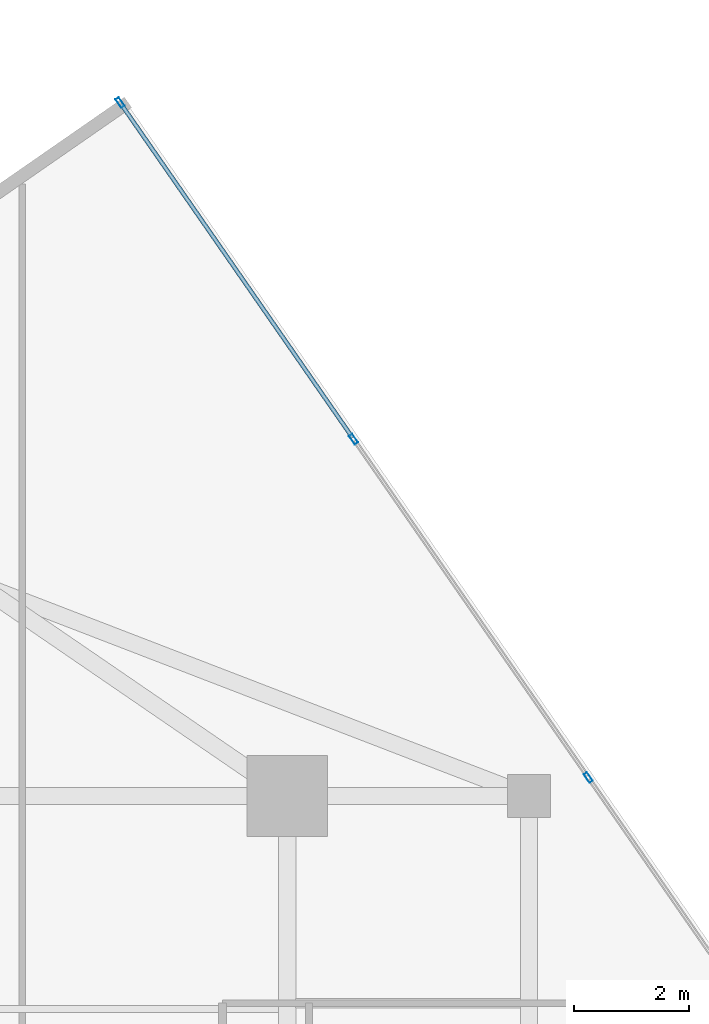
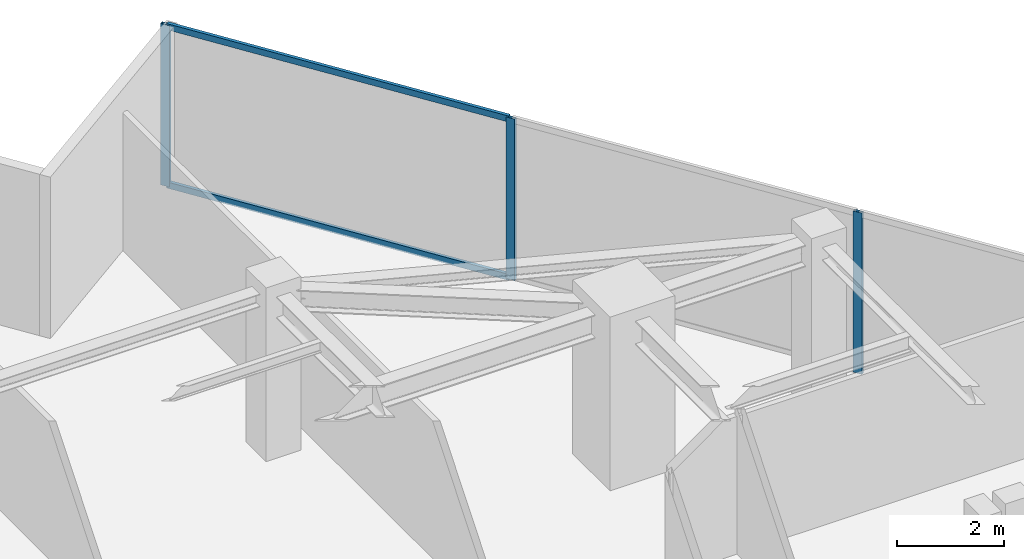
# One storey, part 16 of 21: 5 members, 1 element without a shape of its own.
"""IFC4 building model written with IfcOpenShell, lengths in metres."""

from ifc_helpers import new_model, si_unit, direction, frame, origin, origin_2d, place, context, subcontext, project, spatial, hollow_rectangle, extrude, source, transform, mapped, material, material_profile, profile_set, type_object, type_shapes, element, aggregate, save


model = new_model("IFC4")

# Units and contexts
model_context = context("Model", 3, precision=1e-05, world=origin(), true_north=direction((0.0, 1.0)))
body_context = subcontext(model_context, "Body", "Model", "MODEL_VIEW")
ifc_project = project(units=[si_unit("LENGTHUNIT", "METRE"), si_unit("AREAUNIT", "SQUARE_METRE"), si_unit("VOLUMEUNIT", "CUBIC_METRE"), si_unit("PLANEANGLEUNIT", "RADIAN"), si_unit("MASSUNIT", "GRAM", prefix="KILO")], contexts=[model_context])

# Site, building, storey
site_placement = place(None, origin())
site = spatial("IfcSite", under=ifc_project, at=site_placement, CompositionType="ELEMENT")
building_placement = place(site_placement, origin())
building = spatial("IfcBuilding", under=site, at=building_placement, Name="Krantzveldt Concourse Tower", CompositionType="ELEMENT")
storey_placement = place(building_placement, frame((0.0, 0.0, 275.300048828125)))
storey = spatial("IfcBuildingStorey", under=building, at=storey_placement, Name="L67", CompositionType="ELEMENT", Elevation=275.300048828125)

# Curtain wall, members
ifc_material = material(Name="Anodised aluminium 6063-T6", Category="aluminium")
curtain_wall_type = type_object("IfcCurtainWallType", Name="CW4", PredefinedType="USERDEFINED", material=ifc_material)
curtain_wall_placement = place(storey_placement, origin())
curtain_wall = element("IfcCurtainWall", 1, at=curtain_wall_placement, inside=storey, type_object=curtain_wall_type, Name="CW-L67-F14", ObjectType="UNITISED CURTAIN WALL", PredefinedType="USERDEFINED")
ifc_material_profile_1 = material_profile(ifc_material, hollow_rectangle(XDim=0.070068359375, YDim=0.179931640625, WallThickness=0.0048828125, at=origin_2d()), Name="Anodised aluminium 6063-T6", Category="aluminium")
ifc_profile_set_1 = profile_set([ifc_material_profile_1], Name="Anodised aluminium 6063-T6 - ALU-MULL 180x70x5")
member_type_1 = type_object("IfcMemberType", Name="CW-MUL-180", PredefinedType="MULLION", material=ifc_profile_set_1)
shared_shape_1 = source(origin(), body_context, "Body", "SweptSolid", [
    extrude(hollow_rectangle(XDim=0.070068359375, YDim=0.179931640625, WallThickness=0.0048828125, at=origin_2d()), origin(), (0.0, 0.0, 1.0), 3.669921875),
])
type_shapes(member_type_1, [shared_shape_1])
member_1_placement = place(storey_placement, frame((52.0302734375, 37.820556640625, 0.0), z_axis=(0.0, 0.0, 1.0), x_axis=(-0.821647031735, -0.569996627395, 0.0)))
member_1 = element("IfcMember", 2, at=member_1_placement, type_object=member_type_1, Name="CW-Z56 mullion 3", PredefinedType="MULLION", context=body_context, shape_type="MappedRepresentation", body=[
    mapped(shared_shape_1, transform((0.0, 0.0, 0.0), x_axis=(1.0, 0.0, 0.0), y_axis=(0.0, 1.0, 0.0), z_axis=(0.0, 0.0, 1.0), scale=1.0)),
])
member_2_placement = place(storey_placement, frame((47.954833984375, 43.6953125, 0.0), z_axis=(0.0, 0.0, 1.0), x_axis=(-0.821647031735, -0.569996627395, 0.0)))
member_2 = element("IfcMember", 3, at=member_2_placement, type_object=member_type_1, Name="CW-Z56 mullion 4", PredefinedType="MULLION", context=body_context, shape_type="MappedRepresentation", body=[
    mapped(shared_shape_1, transform((0.0, 0.0, 0.0), x_axis=(1.0, 0.0, 0.0), y_axis=(0.0, 1.0, 0.0), z_axis=(0.0, 0.0, 1.0), scale=1.0)),
])
member_3_placement = place(storey_placement, frame((43.8994140625, 49.54150390625, 0.0), z_axis=(0.0, 0.0, 1.0), x_axis=(-0.821647031735, -0.569996627395, 0.0)))
member_3 = element("IfcMember", 4, at=member_3_placement, type_object=member_type_1, Name="CW-Z56 mullion 5", PredefinedType="MULLION", context=body_context, shape_type="MappedRepresentation", body=[
    mapped(shared_shape_1, transform((0.0, 0.0, 0.0), x_axis=(1.0, 0.0, 0.0), y_axis=(0.0, 1.0, 0.0), z_axis=(0.0, 0.0, 1.0), scale=1.0)),
])
ifc_material_profile_2 = material_profile(ifc_material, hollow_rectangle(XDim=0.070068359375, YDim=0.139892578125, WallThickness=0.0048828125, at=origin_2d()), Name="Anodised aluminium 6063-T6", Category="aluminium")
ifc_profile_set_2 = profile_set([ifc_material_profile_2], Name="Anodised aluminium 6063-T6 - ALU-TRAN 140x70x5")
member_type_2 = type_object("IfcMemberType", Name="CW-TRN-150", PredefinedType="USERDEFINED", material=ifc_profile_set_2)
shared_shape_2 = source(origin(), body_context, "Body", "SweptSolid", [
    extrude(hollow_rectangle(XDim=0.070068359375, YDim=0.139892578125, WallThickness=0.0048828125, at=origin_2d()), origin(), (0.0, 0.0, 1.0), 7.045166015625),
])
type_shapes(member_type_2, [shared_shape_2])
member_4_placement = place(storey_placement, frame((47.934814453125, 43.72412109375, 0.034912109375), z_axis=(-0.569991796641, 0.821650382926, 0.0), x_axis=(-0.821650382926, -0.569991796641, 0.0)))
member_4 = element("IfcMember", 5, at=member_4_placement, type_object=member_type_2, Name="CW-Z56 transom 4.1", ObjectType="TRANSOM", PredefinedType="USERDEFINED", context=body_context, shape_type="MappedRepresentation", body=[
    mapped(shared_shape_2, transform((0.0, 0.0, 0.0), x_axis=(1.0, 0.0, 0.0), y_axis=(0.0, 1.0, 0.0), z_axis=(0.0, 0.0, 1.0), scale=1.0)),
])
member_5_placement = place(storey_placement, frame((47.934814453125, 43.72412109375, 3.635009765625), z_axis=(-0.569991796641, 0.821650382926, 0.0), x_axis=(-0.821650382926, -0.569991796641, 0.0)))
member_5 = element("IfcMember", 6, at=member_5_placement, type_object=member_type_2, Name="CW-Z56 transom 4.2", ObjectType="TRANSOM", PredefinedType="USERDEFINED", context=body_context, shape_type="MappedRepresentation", body=[
    mapped(shared_shape_2, transform((0.0, 0.0, 0.0), x_axis=(1.0, 0.0, 0.0), y_axis=(0.0, 1.0, 0.0), z_axis=(0.0, 0.0, 1.0), scale=1.0)),
])
aggregate(curtain_wall, [member_1, member_2, member_3, member_4, member_5])

save(model, "model.ifc")
